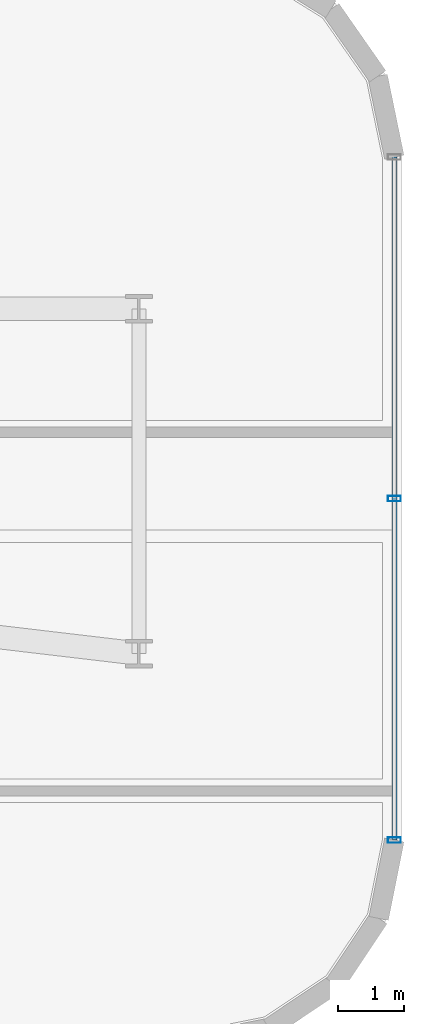
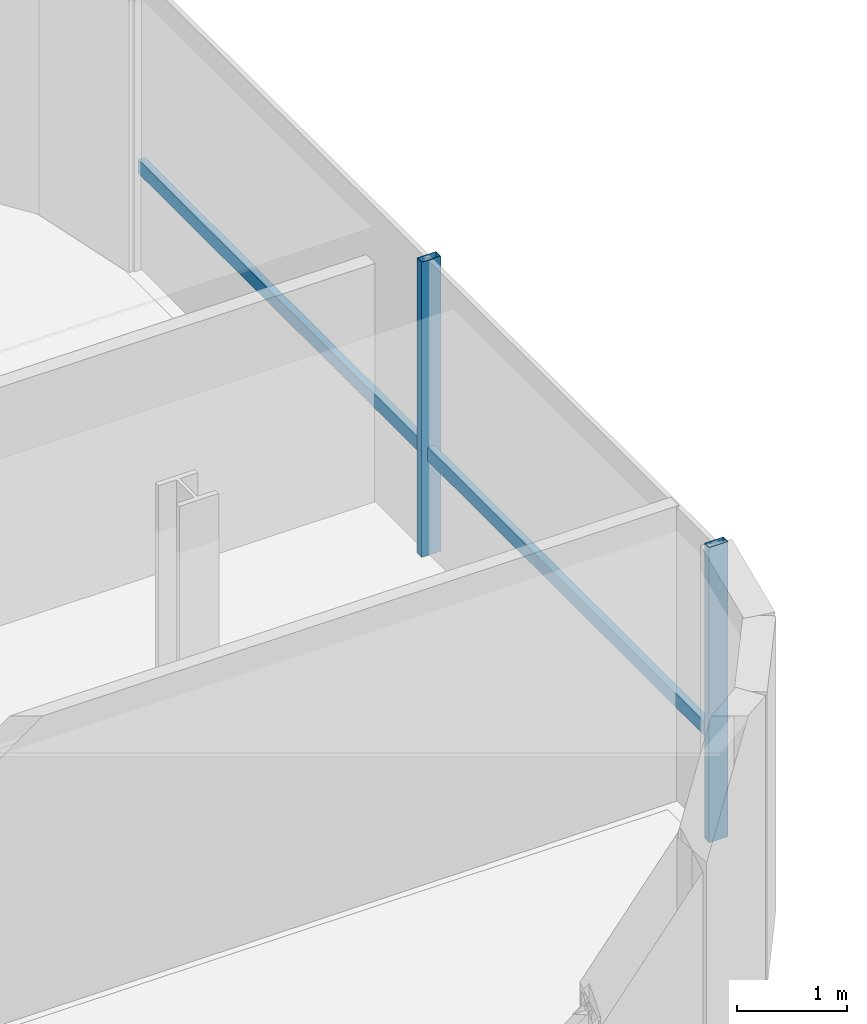
# One storey, part 12 of 22: 3 members, 1 element without a shape of its own.
"""IFC4 building model written with IfcOpenShell, lengths in metres."""

import ifcopenshell
import ifcopenshell.guid

model = None  # the IFC model being written
_history = None  # IfcOwnerHistory: only IFC2X3 demands one
_inside = {}  # id of a spatial element -> (the spatial element, [elements in it])
_under = {}  # id of a project, library or spatial element -> (it, [spatial elements below it])
_declared = {}  # id of a project -> (the project, [libraries it declares])
_typed = {}  # id of a type object -> (the type object, [elements of that type])
_made_of = {}  # id of a material, layer set ... -> (it, [elements and type objects made of it])


def new_model(schema):
    """Start an empty IFC model of exactly this schema.

    Asked for "IFC4X3", IfcOpenShell would pick the latest addendum, in which some entities
    have other attributes; the version numbers below select the first issue.
    IFC2X3 requires an IfcOwnerHistory on every rooted entity: one is made here for all.
    """
    global model, _history
    if schema == "IFC4X3":
        model = ifcopenshell.file(schema_version=(4, 3, 0, 0))
    else:
        model = ifcopenshell.file(schema=schema)
    _inside.clear()
    _under.clear()
    _declared.clear()
    _typed.clear()
    _made_of.clear()
    _history = None
    if model.schema == "IFC2X3":
        org = make("IfcOrganization", Name="unknown")
        user = make(
            "IfcPersonAndOrganization",
            ThePerson=make("IfcPerson", FamilyName="unknown"),
            TheOrganization=org,
        )
        app = make(
            "IfcApplication",
            ApplicationDeveloper=org,
            Version="unknown",
            ApplicationFullName="unknown",
            ApplicationIdentifier="unknown",
        )
        _history = make(
            "IfcOwnerHistory",
            OwningUser=user,
            OwningApplication=app,
            ChangeAction="ADDED",
            CreationDate=0,
        )
    return model


def make(cls, **values):
    """One entity of the class cls with the attributes given. An attribute that is None is left unset."""
    return model.create_entity(
        cls, **{name: value for name, value in values.items() if value is not None}
    )


def rooted(cls, **values):
    """An entity with a GlobalId (a new one), such as an element, a storey or a relation."""
    return make(cls, GlobalId=ifcopenshell.guid.new(), OwnerHistory=_history, **values)


def si_unit(unit_type, name, prefix=None):
    """IfcSIUnit, for example si_unit("LENGTHUNIT", "METRE", prefix="MILLI")."""
    return make("IfcSIUnit", UnitType=unit_type, Prefix=prefix, Name=name)


def assignment(units):
    """IfcUnitAssignment: the units of a project."""
    return None if units is None else make("IfcUnitAssignment", Units=units)


def point(xyz):
    """IfcCartesianPoint."""
    return None if xyz is None else make("IfcCartesianPoint", Coordinates=xyz)


def direction(xyz):
    """IfcDirection."""
    return None if xyz is None else make("IfcDirection", DirectionRatios=xyz)


def frame(location, z_axis=None, x_axis=None):
    """IfcAxis2Placement3D, a coordinate frame: its origin and axes. An axis left out is left unset."""
    return make(
        "IfcAxis2Placement3D",
        Location=point(location),
        Axis=direction(z_axis),
        RefDirection=direction(x_axis),
    )


def frame_2d(location, x_axis=None):
    """IfcAxis2Placement2D, a coordinate frame in the plane: its origin and x axis."""
    return make(
        "IfcAxis2Placement2D", Location=point(location), RefDirection=direction(x_axis)
    )


def origin():
    """The frame at (0, 0, 0) with its axes left unset."""
    return frame((0.0, 0.0, 0.0))


def origin_2d():
    """The frame at (0, 0) in the plane with its x axis left unset."""
    return frame_2d((0.0, 0.0))


def place(relative_to, where):
    """IfcLocalPlacement: puts the frame where relative to a parent placement (None: the world)."""
    return make(
        "IfcLocalPlacement", PlacementRelTo=relative_to, RelativePlacement=where
    )


def context(
    kind, dimensions, precision=None, world=None, true_north=None, identifier=None
):
    """IfcGeometricRepresentationContext, for example the 3D "Model" context."""
    return make(
        "IfcGeometricRepresentationContext",
        ContextIdentifier=identifier,
        ContextType=kind,
        CoordinateSpaceDimension=dimensions,
        Precision=precision,
        WorldCoordinateSystem=world,
        TrueNorth=true_north,
    )


def subcontext(parent, identifier, kind, view, scale=None):
    """IfcGeometricRepresentationSubContext, for example "Body" below "Model"."""
    return make(
        "IfcGeometricRepresentationSubContext",
        ContextIdentifier=identifier,
        ContextType=kind,
        ParentContext=parent,
        TargetScale=scale,
        TargetView=view,
    )


def project(units=None, contexts=None):
    """IfcProject with its units and contexts."""
    return rooted(
        "IfcProject",
        Name="project",
        RepresentationContexts=contexts,
        UnitsInContext=assignment(units),
    )


def spatial(cls, under=None, at=None, **own):
    """A site, building, storey or space (cls), placed at a placement, below another one or the project."""
    s = rooted(cls, ObjectPlacement=at, **own)
    if under is not None:
        _under.setdefault(under.id(), (under, []))[1].append(s)
    return s


def profile(cls, at=None, kind="AREA", **sizes):
    """A parametric profile (cls). Its sizes go by their IFC names, for example OverallWidth=200.0."""
    return make(cls, ProfileType=kind, Position=at, **sizes)


def hollow_rectangle(**sizes):
    """IfcRectangleHollowProfileDef."""
    return profile("IfcRectangleHollowProfileDef", **sizes)


def extrude(swept, where, along, depth):
    """IfcExtrudedAreaSolid: the profile swept, set in the frame where, extruded along a direction by depth."""
    return make(
        "IfcExtrudedAreaSolid",
        SweptArea=swept,
        Position=where,
        ExtrudedDirection=direction(along),
        Depth=depth,
    )


def shape(context_of_items, identifier, shape_type, items):
    """IfcShapeRepresentation: the items that make up one representation, for example the "Body"."""
    return make(
        "IfcShapeRepresentation",
        ContextOfItems=context_of_items,
        RepresentationIdentifier=identifier,
        RepresentationType=shape_type,
        Items=items,
    )


def source(mapping_origin, context_of_items, identifier, shape_type, items):
    """IfcRepresentationMap: a shape defined once, which mapped items show again and again."""
    return make(
        "IfcRepresentationMap",
        MappingOrigin=mapping_origin,
        MappedRepresentation=shape(context_of_items, identifier, shape_type, items),
    )


def transform(
    local_origin,
    x_axis=None,
    y_axis=None,
    z_axis=None,
    scale=None,
    scale2=None,
    scale3=None,
    uniform=True,
):
    """IfcCartesianTransformationOperator3D, or its non-uniform kind. x_axis, y_axis, z_axis: its Axis1, 2, 3."""
    if uniform:
        return make(
            "IfcCartesianTransformationOperator3D",
            Axis1=direction(x_axis),
            Axis2=direction(y_axis),
            LocalOrigin=point(local_origin),
            Scale=scale,
            Axis3=direction(z_axis),
        )
    return make(
        "IfcCartesianTransformationOperator3DnonUniform",
        Axis1=direction(x_axis),
        Axis2=direction(y_axis),
        LocalOrigin=point(local_origin),
        Scale=scale,
        Axis3=direction(z_axis),
        Scale2=scale2,
        Scale3=scale3,
    )


def mapped(mapping_source, mapping_target):
    """IfcMappedItem: shows the shape of a source again, moved by a transform."""
    return make(
        "IfcMappedItem", MappingSource=mapping_source, MappingTarget=mapping_target
    )


def material(Name=None, Category=None):
    """IfcMaterial."""
    return make("IfcMaterial", Name=Name, Category=Category)


def material_profile(
    of_material, cross_section, Name=None, Category=None, Priority=None
):
    """IfcMaterialProfile: a cross section and its material."""
    return make(
        "IfcMaterialProfile",
        Name=Name,
        Material=of_material,
        Profile=cross_section,
        Priority=Priority,
        Category=Category,
    )


def profile_set(profiles, Name=None, composite=None):
    """IfcMaterialProfileSet."""
    return make(
        "IfcMaterialProfileSet",
        Name=Name,
        MaterialProfiles=profiles,
        CompositeProfile=composite,
    )


def made_of(thing, what):
    """Note that an element or type object is made of a material, layer set ...; save() writes the relation."""
    if what is not None:
        _made_of.setdefault(what.id(), (what, []))[1].append(thing)
    return thing


def type_object(cls, material=None, **own):
    """A type object (cls), such as IfcWallType, which elements share."""
    return made_of(rooted(cls, **own), material)


def element(
    cls,
    number,
    at=None,
    inside=None,
    cuts=None,
    type_object=None,
    material=None,
    context=None,
    identifier="Body",
    shape_type=None,
    held_by="IfcProductDefinitionShape",
    body=None,
    shapes=None,
    **own,
):
    """One element of the class cls, such as IfcWall. Its Tag is "e" and its number.

    at: its placement. inside: the storey or other place that contains it. cuts: it is an
    opening in that element (IfcRelVoidsElement). A single representation is given by context,
    identifier, shape_type and body (its items); several are given by shapes. held_by: the class
    of the entity that holds the representations. save() writes the other relations.
    """
    e = rooted(cls, Tag="e%d" % number, ObjectPlacement=at, **own)
    if body is not None:
        shapes = [shape(context, identifier, shape_type, body)]
    if shapes is not None:
        e.Representation = make(held_by, Representations=shapes)
    if inside is not None:
        _inside.setdefault(inside.id(), (inside, []))[1].append(e)
    if cuts is not None:
        rooted(
            "IfcRelVoidsElement", RelatingBuildingElement=cuts, RelatedOpeningElement=e
        )
    if type_object is not None:
        _typed.setdefault(type_object.id(), (type_object, []))[1].append(e)
    return made_of(e, material)


def aggregate(whole, parts):
    """IfcRelAggregates: a whole, such as a stair, and the parts it consists of."""
    return rooted("IfcRelAggregates", RelatingObject=whole, RelatedObjects=parts)


def save(model, path):
    """Write the relations noted so far, then the file.

    IfcRelAggregates (storeys below a building ...), IfcRelContainedInSpatialStructure (elements
    in a storey), IfcRelDefinesByType, IfcRelAssociatesMaterial and IfcRelDeclares: one each for
    every whole, place, type object, material and project.
    """
    for whole, parts in _under.values():
        aggregate(whole, parts)
    for where, things in _inside.values():
        rooted(
            "IfcRelContainedInSpatialStructure",
            RelatedElements=things,
            RelatingStructure=where,
        )
    for kind, things in _typed.values():
        rooted("IfcRelDefinesByType", RelatedObjects=things, RelatingType=kind)
    for what, things in _made_of.values():
        rooted("IfcRelAssociatesMaterial", RelatedObjects=things, RelatingMaterial=what)
    for by, libraries in _declared.values():
        rooted("IfcRelDeclares", RelatingContext=by, RelatedDefinitions=libraries)
    model.write(path)


model = new_model("IFC4")

# Units and contexts
model_context = context("Model", 3, precision=1e-05, world=origin(), true_north=direction((0.0, 1.0)))
body_context = subcontext(model_context, "Body", "Model", "MODEL_VIEW")
ifc_project = project(units=[si_unit("LENGTHUNIT", "METRE"), si_unit("AREAUNIT", "SQUARE_METRE"), si_unit("VOLUMEUNIT", "CUBIC_METRE"), si_unit("PLANEANGLEUNIT", "RADIAN"), si_unit("MASSUNIT", "GRAM", prefix="KILO")], contexts=[model_context])

# Site, building, storey
site_placement = place(None, origin())
site = spatial("IfcSite", under=ifc_project, at=site_placement, CompositionType="ELEMENT")
building_placement = place(site_placement, origin())
building = spatial("IfcBuilding", under=site, at=building_placement, Name="Valdorenza Pilgrim Sanctuary Tower", CompositionType="ELEMENT")
storey_placement = place(building_placement, frame((0.0, 0.0, 237.0)))
storey = spatial("IfcBuildingStorey", under=building, at=storey_placement, Name="L61", CompositionType="ELEMENT", Elevation=237.0)

# Curtain wall, members
ifc_material_1 = material(Name="Curtain-wall IGU glazing", Category="glass")
curtain_wall_type = type_object("IfcCurtainWallType", Name="CW-SYS-02", PredefinedType="NOTDEFINED", material=ifc_material_1)
curtain_wall_placement = place(storey_placement, origin())
curtain_wall = element("IfcCurtainWall", 1, at=curtain_wall_placement, inside=storey, type_object=curtain_wall_type, Name="L61 Curtain Wall CW-L61-1-11", PredefinedType="NOTDEFINED")
ifc_material_2 = material(Name="Anodised aluminium AW-6060", Category="aluminium")
ifc_material_profile_1 = material_profile(ifc_material_2, hollow_rectangle(XDim=0.0849609375, YDim=0.199951171875, WallThickness=0.0048828125, at=origin_2d()), Name="ALU-M 200x85x5")
ifc_profile_set_1 = profile_set([ifc_material_profile_1], Name="Anodised aluminium AW-6060")
member_type_1 = type_object("IfcMemberType", Name="CW-MUL-02", PredefinedType="MULLION", material=ifc_profile_set_1)
shared_shape_1 = source(origin(), body_context, "Body", "SweptSolid", [
    extrude(hollow_rectangle(XDim=0.0849609375, YDim=0.199951171875, WallThickness=0.0048828125, at=origin_2d()), origin(), (0.0, 0.0, 1.0), 3.260009765625),
])
member_1_placement = place(storey_placement, frame((0.389892578125, 11.9111328125, 0.0), z_axis=(0.0, 0.0, 1.0), x_axis=(0.0, -1.0, 0.0)))
member_1 = element("IfcMember", 2, at=member_1_placement, type_object=member_type_1, Name="CW-L61-1-11 Mullion 2", PredefinedType="MULLION", context=body_context, shape_type="MappedRepresentation", body=[
    mapped(shared_shape_1, transform((0.0, 0.0, 0.0), x_axis=(1.0, 0.0, 0.0), y_axis=(0.0, 1.0, 0.0), z_axis=(0.0, 0.0, 1.0), scale=1.0)),
])
member_2_placement = place(storey_placement, frame((0.389892578125, 6.710693359375, 0.0), z_axis=(0.0, 0.0, 1.0), x_axis=(0.0, -1.0, 0.0)))
member_2 = element("IfcMember", 3, at=member_2_placement, type_object=member_type_1, Name="CW-L61-1-11 Mullion 3", PredefinedType="MULLION", context=body_context, shape_type="MappedRepresentation", body=[
    mapped(shared_shape_1, transform((0.0, 0.0, 0.0), x_axis=(1.0, 0.0, 0.0), y_axis=(0.0, 1.0, 0.0), z_axis=(0.0, 0.0, 1.0), scale=1.0)),
])
ifc_material_profile_2 = material_profile(ifc_material_2, hollow_rectangle(XDim=0.074951171875, YDim=0.14990234375, WallThickness=0.00390625, at=origin_2d()), Name="ALU-T 150x75x4")
ifc_profile_set_2 = profile_set([ifc_material_profile_2], Name="Anodised aluminium AW-6060")
member_type_2 = type_object("IfcMemberType", Name="CW-TRN-02", PredefinedType="USERDEFINED", material=ifc_profile_set_2)
shared_shape_2 = source(origin(), body_context, "Body", "SweptSolid", [
    extrude(hollow_rectangle(XDim=0.074951171875, YDim=0.14990234375, WallThickness=0.00390625, at=origin_2d()), origin(), (0.0, 0.0, 1.0), 10.400634765625),
])
member_3_placement = place(storey_placement, frame((0.389892578125, 17.111328125, 1.1201171875), z_axis=(0.0, -1.0, 0.0), x_axis=(1.0, 0.0, 0.0)))
member_3 = element("IfcMember", 4, at=member_3_placement, type_object=member_type_2, Name="CW-L61-1-11 Transom 1", ObjectType="TRANSOM", PredefinedType="USERDEFINED", context=body_context, shape_type="MappedRepresentation", body=[
    mapped(shared_shape_2, transform((0.0, 0.0, 0.0), x_axis=(1.0, 0.0, 0.0), y_axis=(0.0, 1.0, 0.0), z_axis=(0.0, 0.0, 1.0), scale=1.0)),
])
aggregate(curtain_wall, [member_1, member_2, member_3])

save(model, "model.ifc")
